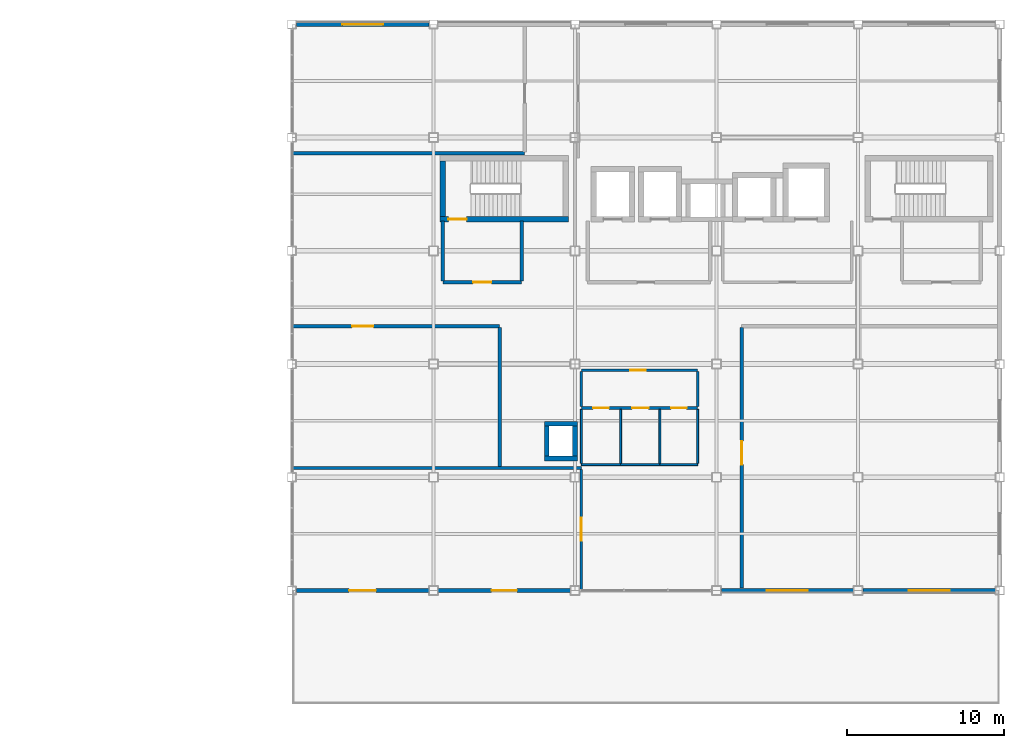
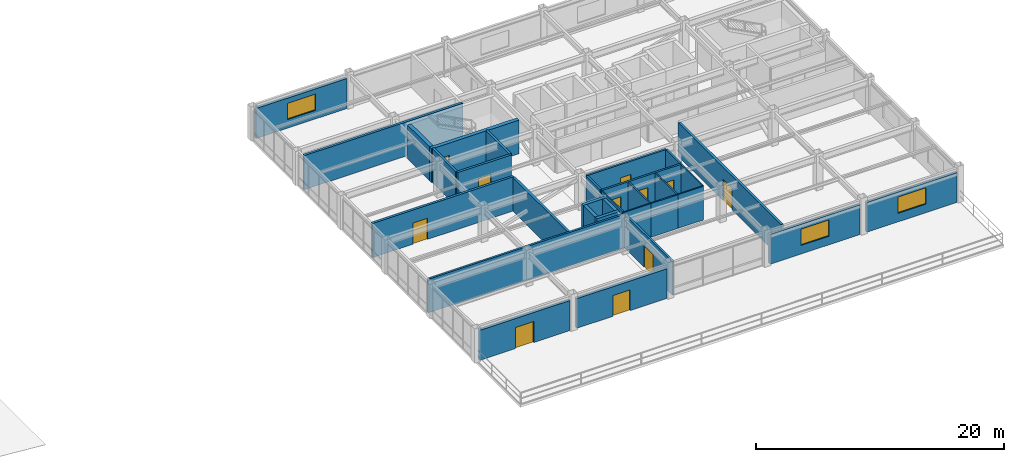
# One storey, part 37 of 43: 31 walls, 11 doors, 3 windows, 14 openings.
"""IFC4 building model written with IfcOpenShell, lengths in metres."""

from ifc_helpers import new_model, si_unit, direction, frame, frame_2d, origin, place, context, subcontext, project, spatial, rectangle, extrude, material, layer, layer_set, type_object, element, fill, save


model = new_model("IFC4")

# Units and contexts
model_context = context("Model", 3, precision=1e-05, world=origin(), true_north=direction((0.0, 1.0)))
body_context = subcontext(model_context, "Body", "Model", "MODEL_VIEW")
ifc_project = project(units=[si_unit("LENGTHUNIT", "METRE"), si_unit("AREAUNIT", "SQUARE_METRE"), si_unit("VOLUMEUNIT", "CUBIC_METRE"), si_unit("PLANEANGLEUNIT", "RADIAN"), si_unit("MASSUNIT", "GRAM", prefix="KILO")], contexts=[model_context])

# Site, building, storey
site_placement = place(None, origin())
site = spatial("IfcSite", under=ifc_project, at=site_placement, CompositionType="ELEMENT")
building_placement = place(site_placement, origin())
building = spatial("IfcBuilding", under=site, at=building_placement, Name="Kazanami Central Library", CompositionType="ELEMENT")
storey_placement = place(building_placement, frame((0.0, 0.0, 20.60009765625)))
storey = spatial("IfcBuildingStorey", under=building, at=storey_placement, Name="L06", CompositionType="ELEMENT", Elevation=20.60009765625)

# Wall, opening, door
ifc_material_1 = material(Name="Concrete Fc36 (36 MPa)", Category="concrete")
ifc_layer_1 = layer(ifc_material_1, 0.199951171875, Name="Concrete Fc36 (36 MPa)")
ifc_material_2 = material(Name="Extruded Polystyrene XPS", Category="earth")
ifc_layer_2 = layer(ifc_material_2, 0.050048828125, Name="Extruded Polystyrene XPS")
ifc_material_3 = material(Name="Honed Inada Granite", Category="masonry")
ifc_layer_3 = layer(ifc_material_3, 0.030029296875, Name="Honed Inada Granite")
ifc_layer_set_1 = layer_set([ifc_layer_1, ifc_layer_2, ifc_layer_3], Name="Concrete Fc36 (36 MPa)")
wall_type_1 = type_object("IfcWallType", Name="WAL-EW-280", PredefinedType="STANDARD", material=ifc_layer_set_1)
wall_1_placement = place(storey_placement, frame((117.27490234375, 57.60009765625, 0.0), z_axis=(0.0, 0.0, 1.0), x_axis=(1.0, 0.0, 0.0)))
wall_1 = element("IfcWall", 1, at=wall_1_placement, inside=storey, type_object=wall_type_1, Name="Exterior Facade Wall EW-280 L06 S-J-13", PredefinedType="STANDARD", context=body_context, shape_type="SweptSolid", body=[
    extrude(rectangle(XDim=8.425048828125, YDim=0.280029296875, at=frame_2d((4.21240234375, 0.0))), origin(), (0.0, 0.0, 1.0), 2.9599609375),
])
opening_1_placement = place(wall_1_placement, frame((3.362548828125, 0.0, 0.0)))
opening_1 = element("IfcOpeningElement", 2, at=opening_1_placement, cuts=wall_1, Name="Opening ED-T2", PredefinedType="OPENING", context=body_context, shape_type="SweptSolid", body=[
    extrude(rectangle(XDim=1.699951171875, YDim=2.080078125, at=frame_2d((0.85009765625, 1.0400390625))), frame((0.0, 0.15185546875, 0.0), z_axis=(0.0, -1.0, 0.0), x_axis=(1.0, 0.0, 0.0)), (0.0, 0.0, 1.0), 0.303955078125),
])
ifc_material_4 = material(Name="Anodised Aluminium A6063-T5", Category="aluminium")
door_type_1 = type_object("IfcDoorType", Name="DOR-ED-T2", OperationType="DOUBLE_DOOR_SINGLE_SWING", PredefinedType="DOOR", material=ifc_material_4)
door_1_placement = place(opening_1_placement, frame((1.699951171875, 0.0, 0.0), z_axis=(0.0, 0.0, 1.0), x_axis=(-1.0, 0.0, 0.0)))
door_1 = element("IfcDoor", 3, at=door_1_placement, inside=storey, type_object=door_type_1, Name="Reading Terrace Access Door L06 S-J-13", OperationType="DOUBLE_DOOR_SINGLE_SWING", OverallHeight=2.080078125, OverallWidth=1.699951171875, PredefinedType="DOOR", context=body_context, shape_type="SweptSolid", body=[
    extrude(rectangle(XDim=1.699951171875, YDim=2.080078125, at=frame_2d((0.85009765625, 1.0400390625))), frame((0.0, 0.02490234375, 0.0), z_axis=(0.0, -1.0, 0.0), x_axis=(1.0, 0.0, 0.0)), (0.0, 0.0, 1.0), 0.050048828125),
])
fill(opening_1, door_1)

wall_2_placement = place(storey_placement, frame((126.300048828125, 57.60009765625, 0.0), z_axis=(0.0, 0.0, 1.0), x_axis=(1.0, 0.0, 0.0)))
wall_2 = element("IfcWall", 4, at=wall_2_placement, inside=storey, type_object=wall_type_1, Name="Exterior Facade Wall EW-280 L06 S-J-14", PredefinedType="STANDARD", context=body_context, shape_type="SweptSolid", body=[
    extrude(rectangle(XDim=8.39990234375, YDim=0.280029296875, at=frame_2d((4.199951171875, 0.0))), origin(), (0.0, 0.0, 1.0), 2.919921875),
])
opening_2_placement = place(wall_2_placement, frame((3.39990234375, 0.0, 0.0)))
opening_2 = element("IfcOpeningElement", 5, at=opening_2_placement, cuts=wall_2, Name="Opening ED-T3", PredefinedType="OPENING", context=body_context, shape_type="SweptSolid", body=[
    extrude(rectangle(XDim=1.60009765625, YDim=2.050048828125, at=frame_2d((0.800048828125, 1.02490234375))), frame((0.0, 0.15185546875, 0.0), z_axis=(0.0, -1.0, 0.0), x_axis=(1.0, 0.0, 0.0)), (0.0, 0.0, 1.0), 0.303955078125),
])
door_type_2 = type_object("IfcDoorType", Name="DOR-ED-T3", OperationType="DOUBLE_DOOR_SINGLE_SWING", PredefinedType="DOOR", material=ifc_material_4)
door_2_placement = place(opening_2_placement, frame((1.60009765625, 0.0, 0.0), z_axis=(0.0, 0.0, 1.0), x_axis=(-1.0, 0.0, 0.0)))
door_2 = element("IfcDoor", 6, at=door_2_placement, inside=storey, type_object=door_type_2, Name="Reading Terrace Access Door L06 S-J-14", OperationType="DOUBLE_DOOR_SINGLE_SWING", OverallHeight=2.050048828125, OverallWidth=1.60009765625, PredefinedType="DOOR", context=body_context, shape_type="SweptSolid", body=[
    extrude(rectangle(XDim=1.60009765625, YDim=2.050048828125, at=frame_2d((0.800048828125, 1.02490234375))), frame((0.0, 0.02490234375, 0.0), z_axis=(0.0, -1.0, 0.0), x_axis=(1.0, 0.0, 0.0)), (0.0, 0.0, 1.0), 0.050048828125),
])
fill(opening_2, door_2)

# Wall, opening, window
wall_3_placement = place(storey_placement, frame((144.300048828125, 57.60009765625, 0.0), z_axis=(0.0, 0.0, 1.0), x_axis=(1.0, 0.0, 0.0)))
wall_3 = element("IfcWall", 7, at=wall_3_placement, inside=storey, type_object=wall_type_1, Name="Exterior Facade Wall EW-280 L06 S-J-16", PredefinedType="STANDARD", context=body_context, shape_type="SweptSolid", body=[
    extrude(rectangle(XDim=8.39990234375, YDim=0.280029296875, at=frame_2d((4.199951171875, 0.0))), origin(), (0.0, 0.0, 1.0), 2.919921875),
])
opening_3_placement = place(wall_3_placement, frame((2.89990234375, 0.0, 0.85009765625)))
opening_3 = element("IfcOpeningElement", 8, at=opening_3_placement, cuts=wall_3, Name="Opening WN-13", PredefinedType="OPENING", context=body_context, shape_type="SweptSolid", body=[
    extrude(rectangle(XDim=2.60009765625, YDim=1.60009765625, at=frame_2d((1.300048828125, 0.800048828125))), frame((0.0, 0.15185546875, 0.0), z_axis=(0.0, -1.0, 0.0), x_axis=(1.0, 0.0, 0.0)), (0.0, 0.0, 1.0), 0.303955078125),
])
ifc_material_5 = material(Name="Low-E Insulated Triple Glass", Category="glass")
window_type = type_object("IfcWindowType", Name="WIN-WN-13", PartitioningType="DOUBLE_PANEL_VERTICAL", PredefinedType="WINDOW", material=ifc_material_5)
window_1_placement = place(opening_3_placement, origin())
window_1 = element("IfcWindow", 9, at=window_1_placement, inside=storey, type_object=window_type, Name="Facade Window WN-13 L06 S-J-16", OverallHeight=1.60009765625, OverallWidth=2.60009765625, PartitioningType="DOUBLE_PANEL_VERTICAL", PredefinedType="WINDOW", context=body_context, shape_type="SweptSolid", body=[
    extrude(rectangle(XDim=2.60009765625, YDim=1.60009765625, at=frame_2d((1.300048828125, 0.800048828125))), frame((0.0, 0.030029296875, 0.0), z_axis=(0.0, -1.0, 0.0), x_axis=(1.0, 0.0, 0.0)), (0.0, 0.0, 1.0), 0.06005859375),
])
fill(opening_3, window_1)

wall_4_placement = place(storey_placement, frame((153.300048828125, 57.60009765625, 0.0), z_axis=(0.0, 0.0, 1.0), x_axis=(1.0, 0.0, 0.0)))
wall_4 = element("IfcWall", 10, at=wall_4_placement, inside=storey, type_object=wall_type_1, Name="Exterior Facade Wall EW-280 L06 S-J-17", PredefinedType="STANDARD", context=body_context, shape_type="SweptSolid", body=[
    extrude(rectangle(XDim=8.425048828125, YDim=0.280029296875, at=frame_2d((4.21240234375, 0.0))), origin(), (0.0, 0.0, 1.0), 2.919921875),
])
opening_4_placement = place(wall_4_placement, frame((2.91259765625, 0.0, 0.85009765625)))
opening_4 = element("IfcOpeningElement", 11, at=opening_4_placement, cuts=wall_4, Name="Opening WN-13", PredefinedType="OPENING", context=body_context, shape_type="SweptSolid", body=[
    extrude(rectangle(XDim=2.60009765625, YDim=1.60009765625, at=frame_2d((1.300048828125, 0.800048828125))), frame((0.0, 0.15185546875, 0.0), z_axis=(0.0, -1.0, 0.0), x_axis=(1.0, 0.0, 0.0)), (0.0, 0.0, 1.0), 0.303955078125),
])
window_2_placement = place(opening_4_placement, origin())
window_2 = element("IfcWindow", 12, at=window_2_placement, inside=storey, type_object=window_type, Name="Facade Window WN-13 L06 S-J-17", OverallHeight=1.60009765625, OverallWidth=2.60009765625, PartitioningType="DOUBLE_PANEL_VERTICAL", PredefinedType="WINDOW", context=body_context, shape_type="SweptSolid", body=[
    extrude(rectangle(XDim=2.60009765625, YDim=1.60009765625, at=frame_2d((1.300048828125, 0.800048828125))), frame((0.0, 0.030029296875, 0.0), z_axis=(0.0, -1.0, 0.0), x_axis=(1.0, 0.0, 0.0)), (0.0, 0.0, 1.0), 0.06005859375),
])
fill(opening_4, window_2)

wall_5_placement = place(storey_placement, frame((125.72509765625, 93.60009765625, 0.0), z_axis=(0.0, 0.0, 1.0), x_axis=(-1.0, 0.0, 0.0)))
wall_5 = element("IfcWall", 13, at=wall_5_placement, inside=storey, type_object=wall_type_1, Name="Exterior Facade Wall EW-280 L06 N-O-13", PredefinedType="STANDARD", context=body_context, shape_type="SweptSolid", body=[
    extrude(rectangle(XDim=8.4501953125, YDim=0.280029296875, at=frame_2d((4.22509765625, 0.0))), origin(), (0.0, 0.0, 1.0), 2.9599609375),
])
opening_5_placement = place(wall_5_placement, frame((2.925048828125, 0.0, 0.85009765625)))
opening_5 = element("IfcOpeningElement", 14, at=opening_5_placement, cuts=wall_5, Name="Opening WN-13", PredefinedType="OPENING", context=body_context, shape_type="SweptSolid", body=[
    extrude(rectangle(XDim=2.60009765625, YDim=1.60009765625, at=frame_2d((1.300048828125, 0.800048828125))), frame((0.0, 0.15185546875, 0.0), z_axis=(0.0, -1.0, 0.0), x_axis=(1.0, 0.0, 0.0)), (0.0, 0.0, 1.0), 0.303955078125),
])
window_3_placement = place(opening_5_placement, origin())
window_3 = element("IfcWindow", 15, at=window_3_placement, inside=storey, type_object=window_type, Name="Facade Window WN-13 L06 N-O-13", OverallHeight=1.60009765625, OverallWidth=2.60009765625, PartitioningType="DOUBLE_PANEL_VERTICAL", PredefinedType="WINDOW", context=body_context, shape_type="SweptSolid", body=[
    extrude(rectangle(XDim=2.60009765625, YDim=1.60009765625, at=frame_2d((1.300048828125, 0.800048828125))), frame((0.0, 0.030029296875, 0.0), z_axis=(0.0, -1.0, 0.0), x_axis=(1.0, 0.0, 0.0)), (0.0, 0.0, 1.0), 0.06005859375),
])
fill(opening_5, window_3)

# Wall, openings, doors
ifc_material_6 = material(Name="Fire-Resistant Gypsum Board GB-F", Category="gypsum")
ifc_layer_4 = layer(ifc_material_6, 0.179931640625, Name="Fire-Resistant Gypsum Board GB-F")
ifc_layer_set_2 = layer_set([ifc_layer_4], Name="Fire-Resistant Gypsum Board GB-F")
wall_type_2 = type_object("IfcWallType", Name="WAL-FW-180", PredefinedType="PARTITIONING", material=ifc_layer_set_2)
wall_6_placement = place(storey_placement, frame((135.39990234375, 69.199951171875, 0.0), z_axis=(0.0, 0.0, 1.0), x_axis=(1.0, 0.0, 0.0)))
wall_6 = element("IfcWall", 16, at=wall_6_placement, inside=storey, type_object=wall_type_2, Name="Interior Partition FW-180 L06 WC-V2-LOB (South)", PredefinedType="PARTITIONING", context=body_context, shape_type="SweptSolid", body=[
    extrude(rectangle(XDim=7.400146484375, YDim=0.179931640625, at=frame_2d((3.7001953125, 0.0))), origin(), (0.0, 0.0, 1.0), 3.31982421875),
])
opening_6_placement = place(wall_6_placement, frame((0.75, 0.0, 0.0)))
opening_6 = element("IfcOpeningElement", 17, at=opening_6_placement, cuts=wall_6, Name="Opening FD30-2", PredefinedType="OPENING", context=body_context, shape_type="SweptSolid", body=[
    extrude(rectangle(XDim=1.0, YDim=2.080078125, at=frame_2d((0.5, 1.0400390625))), frame((0.0, 0.10205078125, 0.0), z_axis=(0.0, -1.0, 0.0), x_axis=(1.0, 0.0, 0.0)), (0.0, 0.0, 1.0), 0.203857421875),
])
opening_7_placement = place(wall_6_placement, frame((3.22509765625, 0.0, 0.0)))
opening_7 = element("IfcOpeningElement", 18, at=opening_7_placement, cuts=wall_6, Name="Opening FD30-1", PredefinedType="OPENING", context=body_context, shape_type="SweptSolid", body=[
    extrude(rectangle(XDim=1.050048828125, YDim=2.10009765625, at=frame_2d((0.52490234375, 1.050048828125))), frame((0.0, 0.10205078125, 0.0), z_axis=(0.0, -1.0, 0.0), x_axis=(1.0, 0.0, 0.0)), (0.0, 0.0, 1.0), 0.203857421875),
])
opening_8_placement = place(wall_6_placement, frame((5.7099609375, 0.0, 0.0)))
opening_8 = element("IfcOpeningElement", 19, at=opening_8_placement, cuts=wall_6, Name="Opening FD30-3", PredefinedType="OPENING", context=body_context, shape_type="SweptSolid", body=[
    extrude(rectangle(XDim=0.97998046875, YDim=2.02001953125, at=frame_2d((0.489990234375, 1.010009765625))), frame((0.0, 0.10205078125, 0.0), z_axis=(0.0, -1.0, 0.0), x_axis=(1.0, 0.0, 0.0)), (0.0, 0.0, 1.0), 0.203857421875),
])
ifc_material_7 = material(Name="Cold-Rolled Steel SPCC", Category="steel")
door_type_3 = type_object("IfcDoorType", Name="DOR-FD30-1", OperationType="NOTDEFINED", PredefinedType="DOOR", material=ifc_material_7)
door_3_placement = place(opening_7_placement, origin())
door_3 = element("IfcDoor", 20, at=door_3_placement, inside=storey, type_object=door_type_3, Name="Interior Door FD30-1 L06 WC-V2-F", OperationType="SINGLE_SWING_LEFT", OverallHeight=2.10009765625, OverallWidth=1.050048828125, PredefinedType="DOOR", context=body_context, shape_type="SweptSolid", body=[
    extrude(rectangle(XDim=1.050048828125, YDim=2.10009765625, at=frame_2d((0.52490234375, 1.050048828125))), frame((0.0, 0.02490234375, 0.0), z_axis=(0.0, -1.0, 0.0), x_axis=(1.0, 0.0, 0.0)), (0.0, 0.0, 1.0), 0.050048828125),
])
fill(opening_7, door_3)
door_type_4 = type_object("IfcDoorType", Name="DOR-FD30-2", OperationType="NOTDEFINED", PredefinedType="DOOR", material=ifc_material_7)
door_4_placement = place(opening_6_placement, origin())
door_4 = element("IfcDoor", 21, at=door_4_placement, inside=storey, type_object=door_type_4, Name="Interior Door FD30-2 L06 WC-V2-M", OperationType="SINGLE_SWING_RIGHT", OverallHeight=2.080078125, OverallWidth=1.0, PredefinedType="DOOR", context=body_context, shape_type="SweptSolid", body=[
    extrude(rectangle(XDim=1.0, YDim=2.080078125, at=frame_2d((0.5, 1.0400390625))), frame((0.0, 0.02490234375, 0.0), z_axis=(0.0, -1.0, 0.0), x_axis=(1.0, 0.0, 0.0)), (0.0, 0.0, 1.0), 0.050048828125),
])
fill(opening_6, door_4)
door_type_5 = type_object("IfcDoorType", Name="DOR-FD30-3", OperationType="NOTDEFINED", PredefinedType="DOOR", material=ifc_material_7)
door_5_placement = place(opening_8_placement, origin())
door_5 = element("IfcDoor", 22, at=door_5_placement, inside=storey, type_object=door_type_5, Name="Interior Door FD30-3 L06 WC-V2-ACC", OperationType="SINGLE_SWING_RIGHT", OverallHeight=2.02001953125, OverallWidth=0.97998046875, PredefinedType="DOOR", context=body_context, shape_type="SweptSolid", body=[
    extrude(rectangle(XDim=0.97998046875, YDim=2.02001953125, at=frame_2d((0.489990234375, 1.010009765625))), frame((0.0, 0.02490234375, 0.0), z_axis=(0.0, -1.0, 0.0), x_axis=(1.0, 0.0, 0.0)), (0.0, 0.0, 1.0), 0.050048828125),
])
fill(opening_8, door_5)

# Wall, opening, door
wall_7_placement = place(storey_placement, frame((135.39990234375, 71.60009765625, 0.0), z_axis=(0.0, 0.0, 1.0), x_axis=(1.0, 0.0, 0.0)))
wall_7 = element("IfcWall", 23, at=wall_7_placement, inside=storey, type_object=wall_type_2, Name="Interior Partition FW-180 L06 WC-V2-LOB (North)", PredefinedType="PARTITIONING", context=body_context, shape_type="SweptSolid", body=[
    extrude(rectangle(XDim=7.400146484375, YDim=0.179931640625, at=frame_2d((3.7001953125, 0.0))), origin(), (0.0, 0.0, 1.0), 3.31982421875),
])
opening_9_placement = place(wall_7_placement, frame((3.110107421875, 0.0, 0.0)))
opening_9 = element("IfcOpeningElement", 24, at=opening_9_placement, cuts=wall_7, Name="Opening FD30-3", PredefinedType="OPENING", context=body_context, shape_type="SweptSolid", body=[
    extrude(rectangle(XDim=0.97998046875, YDim=2.02001953125, at=frame_2d((0.489990234375, 1.010009765625))), frame((0.0, 0.10205078125, 0.0), z_axis=(0.0, -1.0, 0.0), x_axis=(1.0, 0.0, 0.0)), (0.0, 0.0, 1.0), 0.203857421875),
])
door_6_placement = place(opening_9_placement, origin())
door_6 = element("IfcDoor", 25, at=door_6_placement, inside=storey, type_object=door_type_5, Name="Interior Door FD30-3 L06 WC-V2-LOB", OperationType="SINGLE_SWING_LEFT", OverallHeight=2.02001953125, OverallWidth=0.97998046875, PredefinedType="DOOR", context=body_context, shape_type="SweptSolid", body=[
    extrude(rectangle(XDim=0.97998046875, YDim=2.02001953125, at=frame_2d((0.489990234375, 1.010009765625))), frame((0.0, 0.02490234375, 0.0), z_axis=(0.0, -1.0, 0.0), x_axis=(1.0, 0.0, 0.0)), (0.0, 0.0, 1.0), 0.050048828125),
])
fill(opening_9, door_6)

# Walls
for number, where, z_axis, x_axis, name in (
    (26, (135.39990234375, 69.2900390625, 0.0), (0.0, 0.0, 1.0), (0.0, 1.0, 0.0), "Interior Partition FW-180 L06 WC-V2-LOB (West)"),
    (27, (142.800048828125, 69.2900390625, 0.0), (0.0, 0.0, 1.0), (0.0, 1.0, 0.0), "Interior Partition FW-180 L06 WC-V2-LOB (East)"),
):
    element("IfcWall", number, at=place(storey_placement, frame(where, z_axis=z_axis, x_axis=x_axis)), inside=storey, type_object=wall_type_2, Name=name, PredefinedType="PARTITIONING", context=body_context, shape_type="SweptSolid", body=[
        extrude(rectangle(XDim=2.219970703125, YDim=0.179931640625, at=frame_2d((1.10986328125, 0.0))), origin(), (0.0, 0.0, 1.0), 3.31982421875),
    ])
wall_8_placement = place(storey_placement, frame((117.034912109375, 65.39990234375, 0.0), z_axis=(0.0, 0.0, 1.0), x_axis=(1.0, 0.0, 0.0)))
element("IfcWall", 28, at=wall_8_placement, inside=storey, type_object=wall_type_2, Name="Interior Partition FW-180 L06 RM-14 (North)", PredefinedType="PARTITIONING", context=body_context, shape_type="SweptSolid", body=[
    extrude(rectangle(XDim=18.364990234375, YDim=0.179931640625, at=frame_2d((9.1826171875, 0.0))), origin(), (0.0, 0.0, 1.0), 3.31982421875),
])

# Wall, opening, door
wall_9_placement = place(storey_placement, frame((135.39990234375, 57.635009765625, 0.0), z_axis=(0.0, 0.0, 1.0), x_axis=(0.0, 1.0, 0.0)))
wall_9 = element("IfcWall", 29, at=wall_9_placement, inside=storey, type_object=wall_type_2, Name="Interior Partition FW-180 L06 RM-14 (East)", PredefinedType="PARTITIONING", context=body_context, shape_type="SweptSolid", body=[
    extrude(rectangle(XDim=7.675048828125, YDim=0.179931640625, at=frame_2d((3.83740234375, 0.0))), origin(), (0.0, 0.0, 1.0), 3.31982421875),
])
opening_10_placement = place(wall_9_placement, frame((3.139892578125, 0.0, 0.0)))
opening_10 = element("IfcOpeningElement", 30, at=opening_10_placement, cuts=wall_9, Name="Opening FD30-6", PredefinedType="OPENING", context=body_context, shape_type="SweptSolid", body=[
    extrude(rectangle(XDim=1.449951171875, YDim=2.10009765625, at=frame_2d((0.72509765625, 1.050048828125))), frame((0.0, 0.10205078125, 0.0), z_axis=(0.0, -1.0, 0.0), x_axis=(1.0, 0.0, 0.0)), (0.0, 0.0, 1.0), 0.203857421875),
])
door_type_6 = type_object("IfcDoorType", Name="DOR-FD30-6", OperationType="DOUBLE_DOOR_SINGLE_SWING", PredefinedType="DOOR", material=ifc_material_7)
door_7_placement = place(opening_10_placement, origin())
door_7 = element("IfcDoor", 31, at=door_7_placement, inside=storey, type_object=door_type_6, Name="Interior Door FD30-6 L06 RM-14", OperationType="DOUBLE_DOOR_SINGLE_SWING", OverallHeight=2.10009765625, OverallWidth=1.449951171875, PredefinedType="DOOR", context=body_context, shape_type="SweptSolid", body=[
    extrude(rectangle(XDim=1.449951171875, YDim=2.10009765625, at=frame_2d((0.72509765625, 1.050048828125))), frame((0.0, 0.02490234375, 0.0), z_axis=(0.0, -1.0, 0.0), x_axis=(1.0, 0.0, 0.0)), (0.0, 0.0, 1.0), 0.050048828125),
])
fill(opening_10, door_7)

ifc_layer_5 = layer(ifc_material_6, 0.219970703125, Name="Fire-Resistant Gypsum Board GB-F")
ifc_layer_set_3 = layer_set([ifc_layer_5], Name="Fire-Resistant Gypsum Board GB-F")
wall_type_3 = type_object("IfcWallType", Name="WAL-FW-220", PredefinedType="PARTITIONING", material=ifc_layer_set_3)
wall_10_placement = place(storey_placement, frame((126.60009765625, 77.199951171875, 0.0), z_axis=(0.0, 0.0, 1.0), x_axis=(1.0, 0.0, 0.0)))
wall_10 = element("IfcWall", 32, at=wall_10_placement, inside=storey, type_object=wall_type_3, Name="Interior Partition FW-220 L06 VEST-ST-01 (South)", PredefinedType="PARTITIONING", context=body_context, shape_type="SweptSolid", body=[
    extrude(rectangle(XDim=5.0, YDim=0.219970703125, at=frame_2d((2.5, 0.0))), origin(), (0.0, 0.0, 1.0), 3.31982421875),
])
opening_11_placement = place(wall_10_placement, frame((1.925048828125, 0.0, 0.0)))
opening_11 = element("IfcOpeningElement", 33, at=opening_11_placement, cuts=wall_10, Name="Opening FD60-2", PredefinedType="OPENING", context=body_context, shape_type="SweptSolid", body=[
    extrude(rectangle(XDim=1.14990234375, YDim=2.10009765625, at=frame_2d((0.574951171875, 1.050048828125))), frame((0.0, 0.1220703125, 0.0), z_axis=(0.0, -1.0, 0.0), x_axis=(1.0, 0.0, 0.0)), (0.0, 0.0, 1.0), 0.243896484375),
])
door_type_7 = type_object("IfcDoorType", Name="DOR-FD60-2", OperationType="NOTDEFINED", PredefinedType="DOOR", material=ifc_material_7)
door_8_placement = place(opening_11_placement, origin())
door_8 = element("IfcDoor", 34, at=door_8_placement, inside=storey, type_object=door_type_7, Name="Interior Door FD60-2 L06 VEST-ST-01", OperationType="SINGLE_SWING_LEFT", OverallHeight=2.10009765625, OverallWidth=1.14990234375, PredefinedType="DOOR", context=body_context, shape_type="SweptSolid", body=[
    extrude(rectangle(XDim=1.14990234375, YDim=2.10009765625, at=frame_2d((0.574951171875, 1.050048828125))), frame((0.0, 0.02490234375, 0.0), z_axis=(0.0, -1.0, 0.0), x_axis=(1.0, 0.0, 0.0)), (0.0, 0.0, 1.0), 0.050048828125),
])
fill(opening_11, door_8)

# Walls
for number, where, z_axis, x_axis, name in (
    (35, (126.60009765625, 77.2900390625, 0.0), (0.0, 0.0, 1.0), (0.0, 1.0, 0.0), "Interior Partition FW-220 L06 VEST-ST-01 (West)"),
    (36, (131.60009765625, 77.2900390625, 0.0), (0.0, 0.0, 1.0), (0.0, 1.0, 0.0), "Interior Partition FW-220 L06 VEST-ST-01 (East)"),
):
    element("IfcWall", number, at=place(storey_placement, frame(where, z_axis=z_axis, x_axis=x_axis)), inside=storey, type_object=wall_type_3, Name=name, PredefinedType="PARTITIONING", context=body_context, shape_type="SweptSolid", body=[
        extrude(rectangle(XDim=3.820068359375, YDim=0.219970703125, at=frame_2d((1.91015625, 0.0))), origin(), (0.0, 0.0, 1.0), 3.31982421875),
    ])

# Wall, opening, door
wall_11_placement = place(storey_placement, frame((117.034912109375, 74.39990234375, 0.0), z_axis=(0.0, 0.0, 1.0), x_axis=(1.0, 0.0, 0.0)))
wall_11 = element("IfcWall", 37, at=wall_11_placement, inside=storey, type_object=wall_type_3, Name="Interior Partition FW-220 L06 RM-16 (North)", PredefinedType="PARTITIONING", context=body_context, shape_type="SweptSolid", body=[
    extrude(rectangle(XDim=13.1650390625, YDim=0.219970703125, at=frame_2d((6.58251953125, 0.0))), origin(), (0.0, 0.0, 1.0), 3.35986328125),
])
opening_12_placement = place(wall_11_placement, frame((3.7900390625, 0.0, 0.0)))
opening_12 = element("IfcOpeningElement", 38, at=opening_12_placement, cuts=wall_11, Name="Opening FD60-7", PredefinedType="OPENING", context=body_context, shape_type="SweptSolid", body=[
    extrude(rectangle(XDim=1.35009765625, YDim=2.080078125, at=frame_2d((0.675048828125, 1.0400390625))), frame((0.0, 0.1220703125, 0.0), z_axis=(0.0, -1.0, 0.0), x_axis=(1.0, 0.0, 0.0)), (0.0, 0.0, 1.0), 0.243896484375),
])
door_type_8 = type_object("IfcDoorType", Name="DOR-FD60-7", OperationType="DOUBLE_DOOR_SINGLE_SWING", PredefinedType="DOOR", material=ifc_material_7)
door_9_placement = place(opening_12_placement, origin())
door_9 = element("IfcDoor", 39, at=door_9_placement, inside=storey, type_object=door_type_8, Name="Interior Door FD60-7 L06 RM-16", OperationType="DOUBLE_DOOR_SINGLE_SWING", OverallHeight=2.080078125, OverallWidth=1.35009765625, PredefinedType="DOOR", context=body_context, shape_type="SweptSolid", body=[
    extrude(rectangle(XDim=1.35009765625, YDim=2.080078125, at=frame_2d((0.675048828125, 1.0400390625))), frame((0.0, 0.02490234375, 0.0), z_axis=(0.0, -1.0, 0.0), x_axis=(1.0, 0.0, 0.0)), (0.0, 0.0, 1.0), 0.050048828125),
])
fill(opening_12, door_9)

# Wall
wall_12_placement = place(storey_placement, frame((130.199951171875, 65.489990234375, 0.0), z_axis=(0.0, 0.0, 1.0), x_axis=(0.0, 1.0, 0.0)))
element("IfcWall", 40, at=wall_12_placement, inside=storey, type_object=wall_type_3, Name="Interior Partition FW-220 L06 RM-16 (East)", PredefinedType="PARTITIONING", context=body_context, shape_type="SweptSolid", body=[
    extrude(rectangle(XDim=8.820068359375, YDim=0.219970703125, at=frame_2d((4.41015625, 0.0))), origin(), (0.0, 0.0, 1.0), 3.31982421875),
])

# Wall, opening, door
wall_13_placement = place(storey_placement, frame((145.60009765625, 57.7451171875, 0.0), z_axis=(0.0, 0.0, 1.0), x_axis=(0.0, 1.0, 0.0)))
wall_13 = element("IfcWall", 41, at=wall_13_placement, inside=storey, type_object=wall_type_3, Name="Interior Partition FW-220 L06 RM-17 (West)", PredefinedType="PARTITIONING", context=body_context, shape_type="SweptSolid", body=[
    extrude(rectangle(XDim=16.56494140625, YDim=0.219970703125, at=frame_2d((8.282470703125, 0.0))), origin(), (0.0, 0.0, 1.0), 3.31982421875),
])
opening_13_placement = place(wall_13_placement, frame((7.85498046875, 0.0, 0.0)))
opening_13 = element("IfcOpeningElement", 42, at=opening_13_placement, cuts=wall_13, Name="Opening FD60-6", PredefinedType="OPENING", context=body_context, shape_type="SweptSolid", body=[
    extrude(rectangle(XDim=1.5, YDim=2.10009765625, at=frame_2d((0.75, 1.050048828125))), frame((0.0, 0.1220703125, 0.0), z_axis=(0.0, -1.0, 0.0), x_axis=(1.0, 0.0, 0.0)), (0.0, 0.0, 1.0), 0.243896484375),
])
door_type_9 = type_object("IfcDoorType", Name="DOR-FD60-6", OperationType="DOUBLE_DOOR_SINGLE_SWING", PredefinedType="DOOR", material=ifc_material_7)
door_10_placement = place(opening_13_placement, origin())
door_10 = element("IfcDoor", 43, at=door_10_placement, inside=storey, type_object=door_type_9, Name="Interior Door FD60-6 L06 RM-17", OperationType="DOUBLE_DOOR_SINGLE_SWING", OverallHeight=2.10009765625, OverallWidth=1.5, PredefinedType="DOOR", context=body_context, shape_type="SweptSolid", body=[
    extrude(rectangle(XDim=1.5, YDim=2.10009765625, at=frame_2d((0.75, 1.050048828125))), frame((0.0, 0.02490234375, 0.0), z_axis=(0.0, -1.0, 0.0), x_axis=(1.0, 0.0, 0.0)), (0.0, 0.0, 1.0), 0.050048828125),
])
fill(opening_13, door_10)

# Walls
wall_14_placement = place(storey_placement, frame((117.034912109375, 85.39990234375, 0.0), z_axis=(0.0, 0.0, 1.0), x_axis=(1.0, 0.0, 0.0)))
element("IfcWall", 44, at=wall_14_placement, inside=storey, type_object=wall_type_3, Name="Interior Partition FW-220 L06 RM-18 (South)", PredefinedType="PARTITIONING", context=body_context, shape_type="SweptSolid", body=[
    extrude(rectangle(XDim=14.76513671875, YDim=0.219970703125, at=frame_2d((7.382568359375, 0.0))), origin(), (0.0, 0.0, 1.0), 3.35986328125),
])
ifc_material_8 = material(Name="Gypsum Plasterboard GB-R", Category="gypsum")
ifc_layer_6 = layer(ifc_material_8, 0.125, Name="Gypsum Plasterboard GB-R")
ifc_layer_set_4 = layer_set([ifc_layer_6], Name="Gypsum Plasterboard GB-R")
wall_type_4 = type_object("IfcWallType", Name="WAL-PW-125", PredefinedType="PARTITIONING", material=ifc_layer_set_4)
wall_15_placement = place(storey_placement, frame((135.39990234375, 65.60009765625, 0.0), z_axis=(0.0, 0.0, 1.0), x_axis=(1.0, 0.0, 0.0)))
element("IfcWall", 45, at=wall_15_placement, inside=storey, type_object=wall_type_4, Name="Interior Partition PW-125 L06 WC-V2-M (South)", PredefinedType="PARTITIONING", context=body_context, shape_type="SweptSolid", body=[
    extrude(rectangle(XDim=2.5, YDim=0.125, at=frame_2d((1.25, 0.0))), origin(), (0.0, 0.0, 1.0), 3.31982421875),
])
for number, where, z_axis, x_axis, name in (
    (46, (135.39990234375, 65.68994140625, 0.0), (0.0, 0.0, 1.0), (0.0, 1.0, 0.0), "Interior Partition PW-125 L06 WC-V2-M (West)"),
    (47, (137.89990234375, 65.68994140625, 0.0), (0.0, 0.0, 1.0), (0.0, 1.0, 0.0), "Interior Partition PW-125 L06 WC-V2-M (East)"),
):
    element("IfcWall", number, at=place(storey_placement, frame(where, z_axis=z_axis, x_axis=x_axis)), inside=storey, type_object=wall_type_4, Name=name, PredefinedType="PARTITIONING", context=body_context, shape_type="SweptSolid", body=[
        extrude(rectangle(XDim=3.420166015625, YDim=0.125, at=frame_2d((1.7099609375, 0.0))), origin(), (0.0, 0.0, 1.0), 3.31982421875),
    ])
wall_16_placement = place(storey_placement, frame((137.89990234375, 65.60009765625, 0.0), z_axis=(0.0, 0.0, 1.0), x_axis=(1.0, 0.0, 0.0)))
element("IfcWall", 48, at=wall_16_placement, inside=storey, type_object=wall_type_4, Name="Interior Partition PW-125 L06 WC-V2-F (South)", PredefinedType="PARTITIONING", context=body_context, shape_type="SweptSolid", body=[
    extrude(rectangle(XDim=2.5, YDim=0.125, at=frame_2d((1.25, 0.0))), origin(), (0.0, 0.0, 1.0), 3.31982421875),
])
wall_17_placement = place(storey_placement, frame((140.39990234375, 65.68994140625, 0.0), z_axis=(0.0, 0.0, 1.0), x_axis=(0.0, 1.0, 0.0)))
element("IfcWall", 49, at=wall_17_placement, inside=storey, type_object=wall_type_4, Name="Interior Partition PW-125 L06 WC-V2-F (East)", PredefinedType="PARTITIONING", context=body_context, shape_type="SweptSolid", body=[
    extrude(rectangle(XDim=3.420166015625, YDim=0.125, at=frame_2d((1.7099609375, 0.0))), origin(), (0.0, 0.0, 1.0), 3.31982421875),
])
wall_18_placement = place(storey_placement, frame((140.39990234375, 65.60009765625, 0.0), z_axis=(0.0, 0.0, 1.0), x_axis=(1.0, 0.0, 0.0)))
element("IfcWall", 50, at=wall_18_placement, inside=storey, type_object=wall_type_4, Name="Interior Partition PW-125 L06 WC-V2-ACC (South)", PredefinedType="PARTITIONING", context=body_context, shape_type="SweptSolid", body=[
    extrude(rectangle(XDim=2.400146484375, YDim=0.125, at=frame_2d((1.2001953125, 0.0))), origin(), (0.0, 0.0, 1.0), 3.31982421875),
])
wall_19_placement = place(storey_placement, frame((142.800048828125, 65.68994140625, 0.0), z_axis=(0.0, 0.0, 1.0), x_axis=(0.0, 1.0, 0.0)))
element("IfcWall", 51, at=wall_19_placement, inside=storey, type_object=wall_type_4, Name="Interior Partition PW-125 L06 WC-V2-ACC (East)", PredefinedType="PARTITIONING", context=body_context, shape_type="SweptSolid", body=[
    extrude(rectangle(XDim=3.420166015625, YDim=0.125, at=frame_2d((1.7099609375, 0.0))), origin(), (0.0, 0.0, 1.0), 3.31982421875),
])
ifc_layer_7 = layer(ifc_material_1, 0.300048828125, Name="Concrete Fc36 (36 MPa)")
ifc_layer_set_5 = layer_set([ifc_layer_7], Name="Concrete Fc36 (36 MPa)")
wall_type_5 = type_object("IfcWallType", Name="WAL-SW-300", PredefinedType="SHEAR", material=ifc_layer_set_5)
for number, where, z_axis, x_axis, name in (
    (52, (133.050048828125, 66.0, 0.0), (0.0, 0.0, 1.0), (1.0, 0.0, 0.0), "Service Riser Wall RSR-V2-B S L06"),
    (53, (133.050048828125, 68.199951171875, 0.0), (0.0, 0.0, 1.0), (1.0, 0.0, 0.0), "Service Riser Wall RSR-V2-B N L06"),
):
    element("IfcWall", number, at=place(storey_placement, frame(where, z_axis=z_axis, x_axis=x_axis)), inside=storey, type_object=wall_type_5, Name=name, PredefinedType="SHEAR", context=body_context, shape_type="SweptSolid", body=[
        extrude(rectangle(XDim=2.099853515625, YDim=0.300048828125, at=frame_2d((1.0498046875, 0.0))), origin(), (0.0, 0.0, 1.0), 3.31982421875),
    ])
for number, where, z_axis, x_axis, name in (
    (54, (133.199951171875, 66.14990234375, 0.0), (0.0, 0.0, 1.0), (0.0, 1.0, 0.0), "Service Riser Wall RSR-V2-B W L06"),
    (55, (135.0, 66.14990234375, 0.0), (0.0, 0.0, 1.0), (0.0, 1.0, 0.0), "Service Riser Wall RSR-V2-B E L06"),
):
    element("IfcWall", number, at=place(storey_placement, frame(where, z_axis=z_axis, x_axis=x_axis)), inside=storey, type_object=wall_type_5, Name=name, PredefinedType="SHEAR", context=body_context, shape_type="SweptSolid", body=[
        extrude(rectangle(XDim=1.900146484375, YDim=0.300048828125, at=frame_2d((0.9501953125, 0.0))), origin(), (0.0, 0.0, 1.0), 3.31982421875),
    ])

# Wall, opening, door
ifc_layer_8 = layer(ifc_material_1, 0.35009765625, Name="Concrete Fc36 (36 MPa)")
ifc_layer_set_6 = layer_set([ifc_layer_8], Name="Concrete Fc36 (36 MPa)")
wall_type_6 = type_object("IfcWallType", Name="WAL-SW-350", PredefinedType="SHEAR", material=ifc_layer_set_6)
wall_20_placement = place(storey_placement, frame((126.425048828125, 81.199951171875, 0.0), z_axis=(0.0, 0.0, 1.0), x_axis=(1.0, 0.0, 0.0)))
wall_20 = element("IfcWall", 56, at=wall_20_placement, inside=storey, type_object=wall_type_6, Name="Stair Core Wall ST-01 South L06", PredefinedType="SHEAR", context=body_context, shape_type="SweptSolid", body=[
    extrude(rectangle(XDim=8.14990234375, YDim=0.35009765625, at=frame_2d((4.074951171875, 0.0))), origin(), (0.0, 0.0, 1.0), 3.31982421875),
])
opening_14_placement = place(wall_20_placement, frame((0.52490234375, 0.0, 0.0)))
opening_14 = element("IfcOpeningElement", 57, at=opening_14_placement, cuts=wall_20, Name="Opening FD60-2", PredefinedType="OPENING", context=body_context, shape_type="SweptSolid", body=[
    extrude(rectangle(XDim=1.14990234375, YDim=2.10009765625, at=frame_2d((0.574951171875, 1.050048828125))), frame((0.0, 0.18701171875, 0.0), z_axis=(0.0, -1.0, 0.0), x_axis=(1.0, 0.0, 0.0)), (0.0, 0.0, 1.0), 0.3740234375),
])
door_11_placement = place(opening_14_placement, origin())
door_11 = element("IfcDoor", 58, at=door_11_placement, inside=storey, type_object=door_type_7, Name="Escape Stair ST-01 Fire Door L06", OperationType="SINGLE_SWING_LEFT", OverallHeight=2.10009765625, OverallWidth=1.14990234375, PredefinedType="DOOR", context=body_context, shape_type="SweptSolid", body=[
    extrude(rectangle(XDim=1.14990234375, YDim=2.10009765625, at=frame_2d((0.574951171875, 1.050048828125))), frame((0.0, 0.02490234375, 0.0), z_axis=(0.0, -1.0, 0.0), x_axis=(1.0, 0.0, 0.0)), (0.0, 0.0, 1.0), 0.050048828125),
])
fill(opening_14, door_11)

# Wall
wall_21_placement = place(storey_placement, frame((126.60009765625, 81.375, 0.0), z_axis=(0.0, 0.0, 1.0), x_axis=(0.0, 1.0, 0.0)))
element("IfcWall", 59, at=wall_21_placement, inside=storey, type_object=wall_type_6, Name="Stair Core Wall ST-01 West L06", PredefinedType="SHEAR", context=body_context, shape_type="SweptSolid", body=[
    extrude(rectangle(XDim=3.550048828125, YDim=0.35009765625, at=frame_2d((1.77490234375, 0.0))), origin(), (0.0, 0.0, 1.0), 3.31982421875),
])

save(model, "model.ifc")
